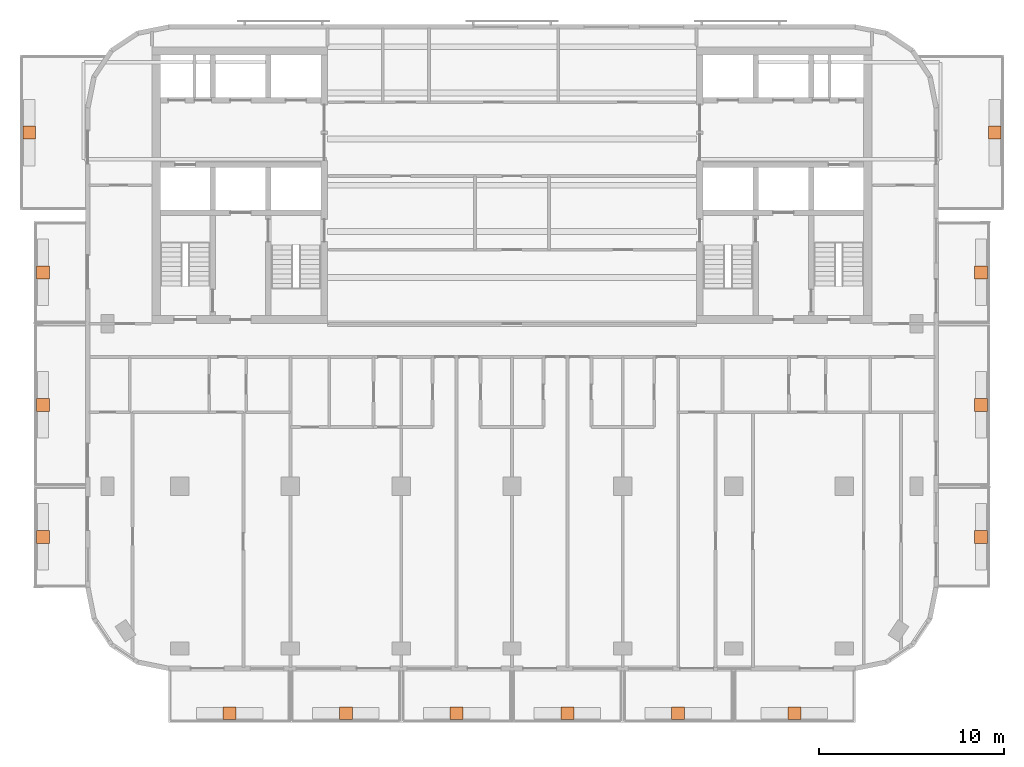
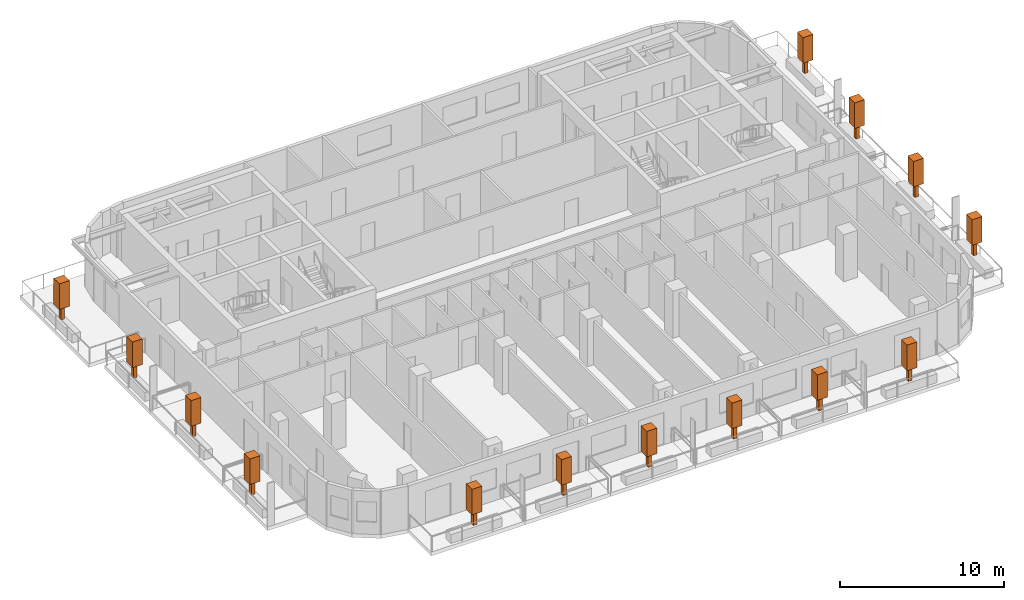
# One storey, part 11 of 11: 14 geographic elements.
"""IFC4 building model written with IfcOpenShell, lengths in metres."""

from ifc_helpers import new_model, si_unit, direction, frame, origin, origin_2d, place, context, subcontext, project, spatial, rectangle, extrude, material, element, save


model = new_model("IFC4")

# Units and contexts
model_context = context("Model", 3, precision=1e-05, world=origin(), true_north=direction((0.0, 1.0)))
body_context = subcontext(model_context, "Body", "Model", "MODEL_VIEW")
ifc_project = project(units=[si_unit("LENGTHUNIT", "METRE"), si_unit("AREAUNIT", "SQUARE_METRE"), si_unit("VOLUMEUNIT", "CUBIC_METRE"), si_unit("PLANEANGLEUNIT", "RADIAN"), si_unit("MASSUNIT", "GRAM", prefix="KILO")], contexts=[model_context])

# Site, building, storey
site_placement = place(None, origin())
site = spatial("IfcSite", under=ifc_project, at=site_placement, CompositionType="ELEMENT")
building_placement = place(site_placement, origin())
building = spatial("IfcBuilding", under=site, at=building_placement, Name="Torana Hotel and Residences", CompositionType="ELEMENT")
storey_placement = place(building_placement, frame((0.0, 0.0, 256.10009765625)))
storey = spatial("IfcBuildingStorey", under=building, at=storey_placement, Name="L67", CompositionType="ELEMENT", Elevation=256.10009765625)

# Geographic elements
ifc_material = material(Name="Foliage", Category="planting")
for number, where, z_axis, x_axis, name in (
    (1, (-15.300048828125, -36.10009765625, 0.64990234375), (0.0, 0.0, 1.0), (1.0, 0.0, 0.0), "Tree 01"),
    (2, (-9.0, -36.10009765625, 0.64990234375), (0.0, 0.0, 1.0), (1.0, 0.0, 0.0), "Tree 02"),
    (3, (-3.0, -36.10009765625, 0.64990234375), (0.0, 0.0, 1.0), (1.0, 0.0, 0.0), "Tree 03"),
    (4, (3.0, -36.10009765625, 0.64990234375), (0.0, 0.0, 1.0), (1.0, 0.0, 0.0), "Tree 04"),
    (5, (9.0, -36.10009765625, 0.64990234375), (0.0, 0.0, 1.0), (1.0, 0.0, 0.0), "Tree 05"),
    (6, (15.300048828125, -36.10009765625, 0.64990234375), (0.0, 0.0, 1.0), (1.0, 0.0, 0.0), "Tree 06"),
    (7, (-25.39990234375, -26.550048828125, 0.64990234375), (0.0, 0.0, 1.0), (1.0, 0.0, 0.0), "Tree 07"),
    (8, (-25.39990234375, -19.39990234375, 0.64990234375), (0.0, 0.0, 1.0), (1.0, 0.0, 0.0), "Tree 08"),
    (9, (-25.39990234375, -12.22509765625, 0.64990234375), (0.0, 0.0, 1.0), (1.0, 0.0, 0.0), "Tree 09"),
    (10, (-26.14990234375, -4.64990234375, 0.64990234375), (0.0, 0.0, 1.0), (1.0, 0.0, 0.0), "Tree 10"),
    (11, (25.39990234375, -26.550048828125, 0.64990234375), (0.0, 0.0, 1.0), (1.0, 0.0, 0.0), "Tree 11"),
    (12, (25.39990234375, -19.39990234375, 0.64990234375), (0.0, 0.0, 1.0), (1.0, 0.0, 0.0), "Tree 12"),
    (13, (25.39990234375, -12.22509765625, 0.64990234375), (0.0, 0.0, 1.0), (1.0, 0.0, 0.0), "Tree 13"),
    (14, (26.14990234375, -4.64990234375, 0.64990234375), (0.0, 0.0, 1.0), (1.0, 0.0, 0.0), "Tree 14"),
):
    element("IfcGeographicElement", number, at=place(storey_placement, frame(where, z_axis=z_axis, x_axis=x_axis)), inside=storey, material=ifc_material, Name=name, ObjectType="TREE", PredefinedType="USERDEFINED", context=body_context, shape_type="SweptSolid", body=[
        extrude(rectangle(XDim=0.25, YDim=0.25, at=origin_2d()), origin(), (0.0, 0.0, 1.0), 1.0),
        extrude(rectangle(XDim=0.699951171875, YDim=0.699951171875, at=origin_2d()), frame((0.0, 0.0, 1.0)), (0.0, 0.0, 1.0), 1.89990234375),
    ])

save(model, "model.ifc")
